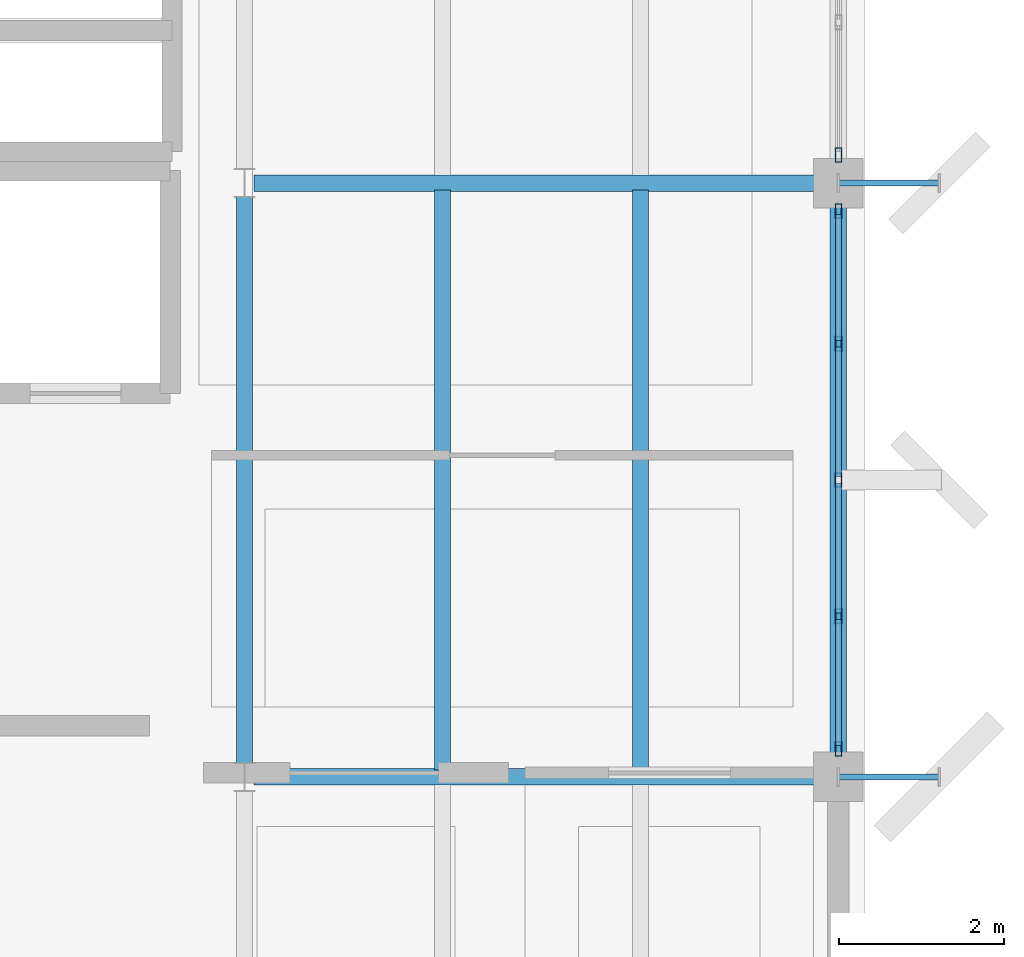
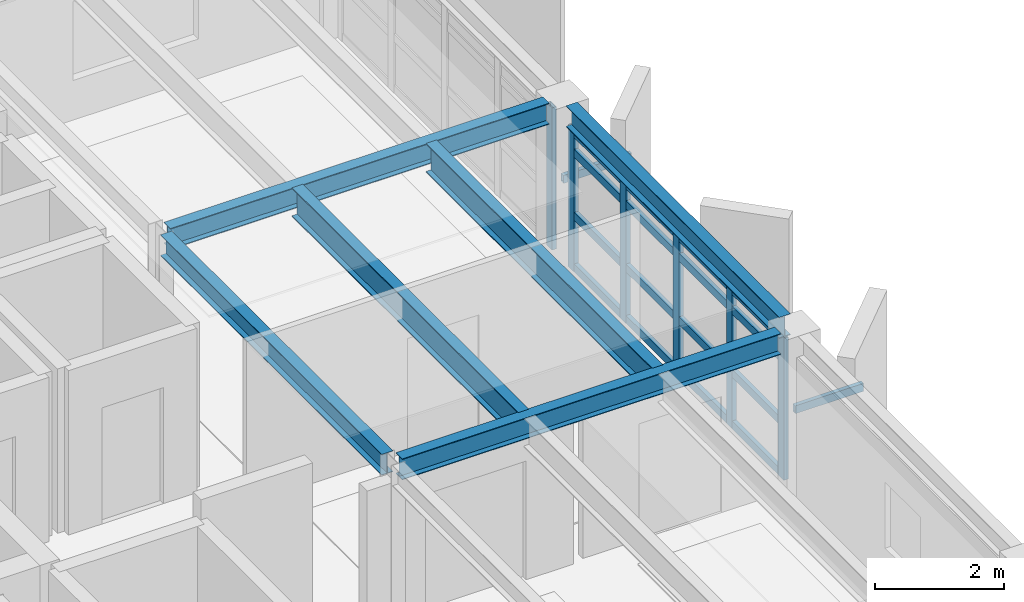
# One storey, part 6 of 15: 24 members, 6 beams, 2 elements without a shape of their own.
"""IFC4 building model written with IfcOpenShell, lengths in metres."""

from ifc_helpers import new_model, si_unit, direction, frame, origin, origin_2d, place, context, subcontext, project, spatial, hollow_rectangle, i_section, extrude, material, layer, layer_set, material_profile, profile_set, type_object, element, aggregate, save


model = new_model("IFC4")

# Units and contexts
model_context = context("Model", 3, precision=1e-05, world=origin(), true_north=direction((0.0, 1.0)))
body_context = subcontext(model_context, "Body", "Model", "MODEL_VIEW")
ifc_project = project(units=[si_unit("LENGTHUNIT", "METRE"), si_unit("AREAUNIT", "SQUARE_METRE"), si_unit("VOLUMEUNIT", "CUBIC_METRE"), si_unit("PLANEANGLEUNIT", "RADIAN"), si_unit("MASSUNIT", "GRAM", prefix="KILO")], contexts=[model_context])

# Site, building, storey
site_placement = place(None, origin())
site = spatial("IfcSite", under=ifc_project, at=site_placement, CompositionType="ELEMENT")
building_placement = place(site_placement, origin())
building = spatial("IfcBuilding", under=site, at=building_placement, Name="Kandorven Conservatory and Botanical Research Centre", CompositionType="ELEMENT")
storey_placement = place(building_placement, frame((0.0, 0.0, 56.10009765625)))
storey = spatial("IfcBuildingStorey", under=building, at=storey_placement, Name="L14", CompositionType="ELEMENT", Elevation=56.10009765625)

# Beams
ifc_material_1 = material(Name="Steel S355 (IS 2062 E350)", Category="steel")
ifc_material_profile_1 = material_profile(ifc_material_1, i_section(OverallWidth=0.199951171875, OverallDepth=0.39990234375, WebThickness=0.008544921875, FlangeThickness=0.012939453125, at=origin_2d()))
ifc_profile_set_1 = profile_set([ifc_material_profile_1], Name="Steel S355 (IS 2062 E350)")
beam_type_1 = type_object("IfcBeamType", Name="Beam_FG-03", PredefinedType="USERDEFINED", material=ifc_profile_set_1)
for number, where, z_axis, x_axis, name in (
    (1, (27.715087890625, 13.199951171875, 2.887939453125), (1.0, 0.0, 0.0), (0.0, 1.0, 0.0), "Primary girder FG-03 TWR L14"),
    (2, (27.715087890625, 20.39990234375, 2.887939453125), (1.0, 0.0, 0.0), (0.0, 1.0, 0.0), "Primary girder FG-03 TWR L14"),
):
    element("IfcBeam", number, at=place(storey_placement, frame(where, z_axis=z_axis, x_axis=x_axis)), inside=storey, type_object=beam_type_1, Name=name, ObjectType="GIRDER", PredefinedType="USERDEFINED", context=body_context, shape_type="SweptSolid", body=[
        extrude(i_section(OverallWidth=0.199951171875, OverallDepth=0.39990234375, WebThickness=0.008544921875, FlangeThickness=0.012939453125, at=origin_2d()), origin(), (0.0, 0.0, 1.0), 6.794921875),
    ])
beam_1_placement = place(storey_placement, frame((27.60009765625, 13.364990234375, 2.887939453125), z_axis=(0.0, 1.0, 0.0), x_axis=(-1.0, 0.0, 0.0)))
element("IfcBeam", 3, at=beam_1_placement, inside=storey, type_object=beam_type_1, Name="Primary girder FG-03 TWR L14", ObjectType="GIRDER", PredefinedType="USERDEFINED", context=body_context, shape_type="SweptSolid", body=[
    extrude(i_section(OverallWidth=0.199951171875, OverallDepth=0.39990234375, WebThickness=0.008544921875, FlangeThickness=0.012939453125, at=origin_2d()), origin(), (0.0, 0.0, 1.0), 6.8701171875),
])
beam_2_placement = place(storey_placement, frame((34.800048828125, 13.489990234375, 2.887939453125), z_axis=(0.0, 1.0, 0.0), x_axis=(-1.0, 0.0, 0.0)))
element("IfcBeam", 4, at=beam_2_placement, inside=storey, type_object=beam_type_1, Name="Primary girder FG-03 TWR L14", ObjectType="GIRDER", PredefinedType="USERDEFINED", context=body_context, shape_type="SweptSolid", body=[
    extrude(i_section(OverallWidth=0.199951171875, OverallDepth=0.39990234375, WebThickness=0.008544921875, FlangeThickness=0.012939453125, at=origin_2d()), origin(), (0.0, 0.0, 1.0), 6.6201171875),
])
ifc_material_2 = material(Name="Steel S355 (IS 2062 E350)", Category="steel")
ifc_material_profile_2 = material_profile(ifc_material_2, i_section(OverallWidth=0.18994140625, OverallDepth=0.550048828125, WebThickness=0.01123046875, FlangeThickness=0.019287109375, at=origin_2d()))
ifc_profile_set_2 = profile_set([ifc_material_profile_2], Name="Steel S355 (IS 2062 E350)")
beam_type_2 = type_object("IfcBeamType", Name="Beam_SB-02", PredefinedType="BEAM", material=ifc_profile_set_2)
for number, where, z_axis, x_axis, name in (
    (5, (30.0, 13.284912109375, 2.81298828125), (0.0, 1.0, 0.0), (-1.0, 0.0, 0.0), "Composite secondary beam SB-02 TWR L14"),
    (6, (32.39990234375, 13.284912109375, 2.81298828125), (0.0, 1.0, 0.0), (-1.0, 0.0, 0.0), "Composite secondary beam SB-02 TWR L14"),
):
    element("IfcBeam", number, at=place(storey_placement, frame(where, z_axis=z_axis, x_axis=x_axis)), inside=storey, type_object=beam_type_2, Name=name, PredefinedType="BEAM", context=body_context, shape_type="SweptSolid", body=[
        extrude(i_section(OverallWidth=0.18994140625, OverallDepth=0.550048828125, WebThickness=0.01123046875, FlangeThickness=0.019287109375, at=origin_2d()), origin(), (0.0, 0.0, 1.0), 7.030029296875),
    ])

# Curtain wall, members
ifc_material_3 = material(Name="Bronze anodised thermally broken aluminium", Category="aluminium")
ifc_layer = layer(ifc_material_3, 0.179931640625)
ifc_layer_set = layer_set([ifc_layer], Name="Bronze anodised thermally broken aluminium")
curtain_wall_type = type_object("IfcCurtainWallType", Name="CW_Unitised", PredefinedType="USERDEFINED", material=ifc_layer_set)
curtain_wall_1_placement = place(storey_placement, origin())
curtain_wall_1 = element("IfcCurtainWall", 7, at=curtain_wall_1_placement, inside=storey, type_object=curtain_wall_type, Name="Tower laboratory curtain wall CW-TWR-E-L14-2", ObjectType="UNITISED GLAZING", PredefinedType="USERDEFINED")
ifc_material_4 = material(Name="Bronze anodised thermally broken aluminium", Category="aluminium")
ifc_material_profile_3 = material_profile(ifc_material_4, hollow_rectangle(XDim=0.080078125, YDim=0.179931640625, WallThickness=0.006103515625, at=origin_2d()))
ifc_profile_set_3 = profile_set([ifc_material_profile_3], Name="Bronze anodised thermally broken aluminium")
member_type_1 = type_object("IfcMemberType", Name="CW_Mullion", PredefinedType="MULLION", material=ifc_profile_set_3)
member_1_placement = place(storey_placement, frame((34.800048828125, 13.5400390625, 0.0), z_axis=(0.0, 0.0, 1.0), x_axis=(-1.0, 0.0, 0.0)))
member_1 = element("IfcMember", 8, at=member_1_placement, type_object=member_type_1, Name="CW-01 mullion 1", PredefinedType="MULLION", context=body_context, shape_type="SweptSolid", body=[
    extrude(hollow_rectangle(XDim=0.080078125, YDim=0.179931640625, WallThickness=0.006103515625, at=origin_2d()), origin(), (0.0, 0.0, 1.0), 2.69482421875),
])
member_2_placement = place(storey_placement, frame((34.800048828125, 15.14990234375, 0.0), z_axis=(0.0, 0.0, 1.0), x_axis=(-1.0, 0.0, 0.0)))
member_2 = element("IfcMember", 9, at=member_2_placement, type_object=member_type_1, Name="CW-01 mullion 2", PredefinedType="MULLION", context=body_context, shape_type="SweptSolid", body=[
    extrude(hollow_rectangle(XDim=0.080078125, YDim=0.179931640625, WallThickness=0.006103515625, at=origin_2d()), origin(), (0.0, 0.0, 1.0), 2.69482421875),
])
member_3_placement = place(storey_placement, frame((34.800048828125, 16.800048828125, 0.0), z_axis=(0.0, 0.0, 1.0), x_axis=(-1.0, 0.0, 0.0)))
member_3 = element("IfcMember", 10, at=member_3_placement, type_object=member_type_1, Name="CW-01 mullion 3", PredefinedType="MULLION", context=body_context, shape_type="SweptSolid", body=[
    extrude(hollow_rectangle(XDim=0.080078125, YDim=0.179931640625, WallThickness=0.006103515625, at=origin_2d()), origin(), (0.0, 0.0, 1.0), 2.69482421875),
])
member_4_placement = place(storey_placement, frame((34.800048828125, 18.449951171875, 0.0), z_axis=(0.0, 0.0, 1.0), x_axis=(-1.0, 0.0, 0.0)))
member_4 = element("IfcMember", 11, at=member_4_placement, type_object=member_type_1, Name="CW-01 mullion 4", PredefinedType="MULLION", context=body_context, shape_type="SweptSolid", body=[
    extrude(hollow_rectangle(XDim=0.080078125, YDim=0.179931640625, WallThickness=0.006103515625, at=origin_2d()), origin(), (0.0, 0.0, 1.0), 2.69482421875),
])
member_5_placement = place(storey_placement, frame((34.800048828125, 20.06005859375, 0.0), z_axis=(0.0, 0.0, 1.0), x_axis=(-1.0, 0.0, 0.0)))
member_5 = element("IfcMember", 12, at=member_5_placement, type_object=member_type_1, Name="CW-01 mullion 5", PredefinedType="MULLION", context=body_context, shape_type="SweptSolid", body=[
    extrude(hollow_rectangle(XDim=0.080078125, YDim=0.179931640625, WallThickness=0.006103515625, at=origin_2d()), origin(), (0.0, 0.0, 1.0), 2.69482421875),
])

# Curtain wall, member
curtain_wall_2_placement = place(storey_placement, origin())
curtain_wall_2 = element("IfcCurtainWall", 13, at=curtain_wall_2_placement, inside=storey, type_object=curtain_wall_type, Name="Tower laboratory curtain wall CW-TWR-E-L14-3", ObjectType="UNITISED GLAZING", PredefinedType="USERDEFINED")
member_6_placement = place(storey_placement, frame((34.800048828125, 20.739990234375, 0.0), z_axis=(0.0, 0.0, 1.0), x_axis=(-1.0, 0.0, 0.0)))
member_6 = element("IfcMember", 14, at=member_6_placement, type_object=member_type_1, Name="CW-01 mullion 1", PredefinedType="MULLION", context=body_context, shape_type="SweptSolid", body=[
    extrude(hollow_rectangle(XDim=0.080078125, YDim=0.179931640625, WallThickness=0.006103515625, at=origin_2d()), origin(), (0.0, 0.0, 1.0), 2.69482421875),
])
aggregate(curtain_wall_2, [member_6])

# Member
ifc_material_5 = material(Name="Bronze anodised thermally broken aluminium", Category="aluminium")
ifc_material_profile_4 = material_profile(ifc_material_5, hollow_rectangle(XDim=0.074951171875, YDim=0.14990234375, WallThickness=0.006103515625, at=origin_2d()))
ifc_profile_set_4 = profile_set([ifc_material_profile_4], Name="Bronze anodised thermally broken aluminium")
member_type_2 = type_object("IfcMemberType", Name="CW_Transom", PredefinedType="USERDEFINED", material=ifc_profile_set_4)
member_7_placement = place(storey_placement, frame((34.800048828125, 13.580078125, 0.074951171875), z_axis=(0.0, 1.0, 0.0), x_axis=(-1.0, 0.0, 0.0)))
member_7 = element("IfcMember", 15, at=member_7_placement, type_object=member_type_2, Name="CW-01 transom 1.1", ObjectType="TRANSOM", PredefinedType="USERDEFINED", context=body_context, shape_type="SweptSolid", body=[
    extrude(hollow_rectangle(XDim=0.074951171875, YDim=0.14990234375, WallThickness=0.006103515625, at=origin_2d()), origin(), (0.0, 0.0, 1.0), 1.530029296875),
])

member_8_placement = place(storey_placement, frame((34.800048828125, 13.580078125, 1.0498046875), z_axis=(0.0, 1.0, 0.0), x_axis=(-1.0, 0.0, 0.0)))
member_8 = element("IfcMember", 16, at=member_8_placement, type_object=member_type_2, Name="CW-01 transom 1.2", ObjectType="TRANSOM", PredefinedType="USERDEFINED", context=body_context, shape_type="SweptSolid", body=[
    extrude(hollow_rectangle(XDim=0.074951171875, YDim=0.14990234375, WallThickness=0.006103515625, at=origin_2d()), origin(), (0.0, 0.0, 1.0), 1.530029296875),
])

member_9_placement = place(storey_placement, frame((34.800048828125, 13.580078125, 2.25), z_axis=(0.0, 1.0, 0.0), x_axis=(-1.0, 0.0, 0.0)))
member_9 = element("IfcMember", 17, at=member_9_placement, type_object=member_type_2, Name="CW-01 transom 1.3", ObjectType="TRANSOM", PredefinedType="USERDEFINED", context=body_context, shape_type="SweptSolid", body=[
    extrude(hollow_rectangle(XDim=0.074951171875, YDim=0.14990234375, WallThickness=0.006103515625, at=origin_2d()), origin(), (0.0, 0.0, 1.0), 1.530029296875),
])

member_10_placement = place(storey_placement, frame((34.800048828125, 13.580078125, 2.619873046875), z_axis=(0.0, 1.0, 0.0), x_axis=(-1.0, 0.0, 0.0)))
member_10 = element("IfcMember", 18, at=member_10_placement, type_object=member_type_2, Name="CW-01 transom 1.4", ObjectType="TRANSOM", PredefinedType="USERDEFINED", context=body_context, shape_type="SweptSolid", body=[
    extrude(hollow_rectangle(XDim=0.074951171875, YDim=0.14990234375, WallThickness=0.006103515625, at=origin_2d()), origin(), (0.0, 0.0, 1.0), 1.530029296875),
])

member_11_placement = place(storey_placement, frame((34.800048828125, 15.18994140625, 0.074951171875), z_axis=(0.0, 1.0, 0.0), x_axis=(-1.0, 0.0, 0.0)))
member_11 = element("IfcMember", 19, at=member_11_placement, type_object=member_type_2, Name="CW-01 transom 2.1", ObjectType="TRANSOM", PredefinedType="USERDEFINED", context=body_context, shape_type="SweptSolid", body=[
    extrude(hollow_rectangle(XDim=0.074951171875, YDim=0.14990234375, WallThickness=0.006103515625, at=origin_2d()), origin(), (0.0, 0.0, 1.0), 1.570068359375),
])

member_12_placement = place(storey_placement, frame((34.800048828125, 15.18994140625, 1.0498046875), z_axis=(0.0, 1.0, 0.0), x_axis=(-1.0, 0.0, 0.0)))
member_12 = element("IfcMember", 20, at=member_12_placement, type_object=member_type_2, Name="CW-01 transom 2.2", ObjectType="TRANSOM", PredefinedType="USERDEFINED", context=body_context, shape_type="SweptSolid", body=[
    extrude(hollow_rectangle(XDim=0.074951171875, YDim=0.14990234375, WallThickness=0.006103515625, at=origin_2d()), origin(), (0.0, 0.0, 1.0), 1.570068359375),
])

member_13_placement = place(storey_placement, frame((34.800048828125, 15.18994140625, 2.25), z_axis=(0.0, 1.0, 0.0), x_axis=(-1.0, 0.0, 0.0)))
member_13 = element("IfcMember", 21, at=member_13_placement, type_object=member_type_2, Name="CW-01 transom 2.3", ObjectType="TRANSOM", PredefinedType="USERDEFINED", context=body_context, shape_type="SweptSolid", body=[
    extrude(hollow_rectangle(XDim=0.074951171875, YDim=0.14990234375, WallThickness=0.006103515625, at=origin_2d()), origin(), (0.0, 0.0, 1.0), 1.570068359375),
])

member_14_placement = place(storey_placement, frame((34.800048828125, 15.18994140625, 2.619873046875), z_axis=(0.0, 1.0, 0.0), x_axis=(-1.0, 0.0, 0.0)))
member_14 = element("IfcMember", 22, at=member_14_placement, type_object=member_type_2, Name="CW-01 transom 2.4", ObjectType="TRANSOM", PredefinedType="USERDEFINED", context=body_context, shape_type="SweptSolid", body=[
    extrude(hollow_rectangle(XDim=0.074951171875, YDim=0.14990234375, WallThickness=0.006103515625, at=origin_2d()), origin(), (0.0, 0.0, 1.0), 1.570068359375),
])

member_15_placement = place(storey_placement, frame((34.800048828125, 16.840087890625, 0.074951171875), z_axis=(0.0, 1.0, 0.0), x_axis=(-1.0, 0.0, 0.0)))
member_15 = element("IfcMember", 23, at=member_15_placement, type_object=member_type_2, Name="CW-01 transom 3.1", ObjectType="TRANSOM", PredefinedType="USERDEFINED", context=body_context, shape_type="SweptSolid", body=[
    extrude(hollow_rectangle(XDim=0.074951171875, YDim=0.14990234375, WallThickness=0.006103515625, at=origin_2d()), origin(), (0.0, 0.0, 1.0), 1.56982421875),
])

member_16_placement = place(storey_placement, frame((34.800048828125, 16.840087890625, 1.0498046875), z_axis=(0.0, 1.0, 0.0), x_axis=(-1.0, 0.0, 0.0)))
member_16 = element("IfcMember", 24, at=member_16_placement, type_object=member_type_2, Name="CW-01 transom 3.2", ObjectType="TRANSOM", PredefinedType="USERDEFINED", context=body_context, shape_type="SweptSolid", body=[
    extrude(hollow_rectangle(XDim=0.074951171875, YDim=0.14990234375, WallThickness=0.006103515625, at=origin_2d()), origin(), (0.0, 0.0, 1.0), 1.56982421875),
])

member_17_placement = place(storey_placement, frame((34.800048828125, 16.840087890625, 2.25), z_axis=(0.0, 1.0, 0.0), x_axis=(-1.0, 0.0, 0.0)))
member_17 = element("IfcMember", 25, at=member_17_placement, type_object=member_type_2, Name="CW-01 transom 3.3", ObjectType="TRANSOM", PredefinedType="USERDEFINED", context=body_context, shape_type="SweptSolid", body=[
    extrude(hollow_rectangle(XDim=0.074951171875, YDim=0.14990234375, WallThickness=0.006103515625, at=origin_2d()), origin(), (0.0, 0.0, 1.0), 1.56982421875),
])

member_18_placement = place(storey_placement, frame((34.800048828125, 16.840087890625, 2.619873046875), z_axis=(0.0, 1.0, 0.0), x_axis=(-1.0, 0.0, 0.0)))
member_18 = element("IfcMember", 26, at=member_18_placement, type_object=member_type_2, Name="CW-01 transom 3.4", ObjectType="TRANSOM", PredefinedType="USERDEFINED", context=body_context, shape_type="SweptSolid", body=[
    extrude(hollow_rectangle(XDim=0.074951171875, YDim=0.14990234375, WallThickness=0.006103515625, at=origin_2d()), origin(), (0.0, 0.0, 1.0), 1.56982421875),
])

member_19_placement = place(storey_placement, frame((34.800048828125, 18.489990234375, 0.074951171875), z_axis=(0.0, 1.0, 0.0), x_axis=(-1.0, 0.0, 0.0)))
member_19 = element("IfcMember", 27, at=member_19_placement, type_object=member_type_2, Name="CW-01 transom 4.1", ObjectType="TRANSOM", PredefinedType="USERDEFINED", context=body_context, shape_type="SweptSolid", body=[
    extrude(hollow_rectangle(XDim=0.074951171875, YDim=0.14990234375, WallThickness=0.006103515625, at=origin_2d()), origin(), (0.0, 0.0, 1.0), 1.530029296875),
])

member_20_placement = place(storey_placement, frame((34.800048828125, 18.489990234375, 1.0498046875), z_axis=(0.0, 1.0, 0.0), x_axis=(-1.0, 0.0, 0.0)))
member_20 = element("IfcMember", 28, at=member_20_placement, type_object=member_type_2, Name="CW-01 transom 4.2", ObjectType="TRANSOM", PredefinedType="USERDEFINED", context=body_context, shape_type="SweptSolid", body=[
    extrude(hollow_rectangle(XDim=0.074951171875, YDim=0.14990234375, WallThickness=0.006103515625, at=origin_2d()), origin(), (0.0, 0.0, 1.0), 1.530029296875),
])

member_21_placement = place(storey_placement, frame((34.800048828125, 18.489990234375, 2.25), z_axis=(0.0, 1.0, 0.0), x_axis=(-1.0, 0.0, 0.0)))
member_21 = element("IfcMember", 29, at=member_21_placement, type_object=member_type_2, Name="CW-01 transom 4.3", ObjectType="TRANSOM", PredefinedType="USERDEFINED", context=body_context, shape_type="SweptSolid", body=[
    extrude(hollow_rectangle(XDim=0.074951171875, YDim=0.14990234375, WallThickness=0.006103515625, at=origin_2d()), origin(), (0.0, 0.0, 1.0), 1.530029296875),
])

member_22_placement = place(storey_placement, frame((34.800048828125, 18.489990234375, 2.619873046875), z_axis=(0.0, 1.0, 0.0), x_axis=(-1.0, 0.0, 0.0)))
member_22 = element("IfcMember", 30, at=member_22_placement, type_object=member_type_2, Name="CW-01 transom 4.4", ObjectType="TRANSOM", PredefinedType="USERDEFINED", context=body_context, shape_type="SweptSolid", body=[
    extrude(hollow_rectangle(XDim=0.074951171875, YDim=0.14990234375, WallThickness=0.006103515625, at=origin_2d()), origin(), (0.0, 0.0, 1.0), 1.530029296875),
])

aggregate(curtain_wall_1, [member_1, member_2, member_3, member_4, member_5, member_7, member_8, member_9, member_10, member_11, member_12, member_13, member_14, member_15, member_16, member_17, member_18, member_19, member_20, member_21, member_22])

# Members
ifc_material_6 = material(Name="Steel S355 (IS 2062 E350)", Category="steel")
ifc_material_profile_5 = material_profile(ifc_material_6, hollow_rectangle(XDim=0.074951171875, YDim=0.14990234375, WallThickness=0.006103515625, at=origin_2d()))
ifc_profile_set_5 = profile_set([ifc_material_profile_5], Name="Steel S355 (IS 2062 E350)")
member_type_3 = type_object("IfcMemberType", Name="Mem_SF-01", PredefinedType="STRUT", material=ifc_profile_set_5)
for number, where, z_axis, x_axis, name in (
    (31, (34.800048828125, 13.199951171875, 1.5), (1.0, 0.0, 0.0), (0.0, 1.0, 0.0), "Solar fin steel outrigger strut SF-01 #129"),
    (32, (34.800048828125, 20.39990234375, 1.5), (1.0, 0.0, 0.0), (0.0, 1.0, 0.0), "Solar fin steel outrigger strut SF-01 #131"),
):
    element("IfcMember", number, at=place(storey_placement, frame(where, z_axis=z_axis, x_axis=x_axis)), inside=storey, type_object=member_type_3, Name=name, PredefinedType="STRUT", context=body_context, shape_type="SweptSolid", body=[
        extrude(hollow_rectangle(XDim=0.074951171875, YDim=0.14990234375, WallThickness=0.006103515625, at=origin_2d()), origin(), (0.0, 0.0, 1.0), 1.219970703125),
    ])

save(model, "model.ifc")
